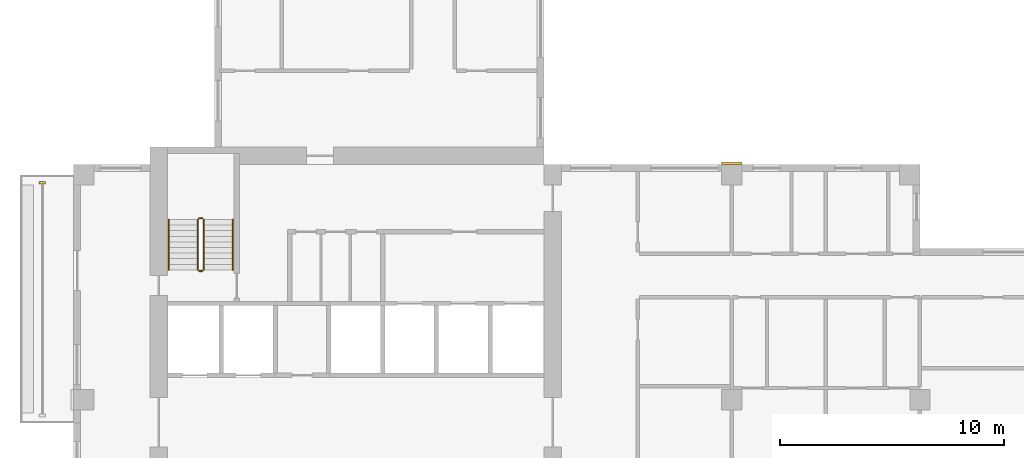
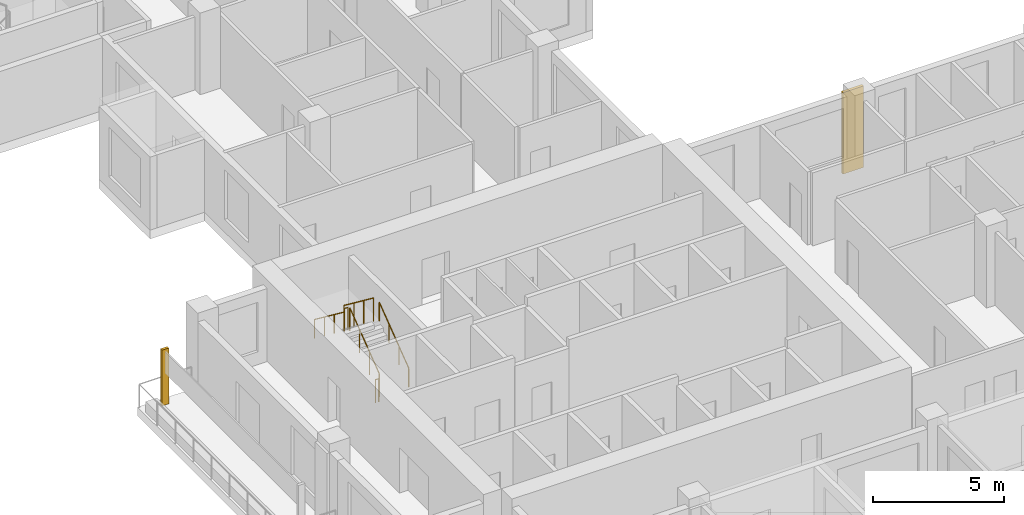
# One storey, part 10 of 12: 6 railings, 2 coverings.
"""IFC4 building model written with IfcOpenShell, lengths in metres."""

from ifc_helpers import new_model, si_unit, direction, frame, origin, origin_2d, place, context, subcontext, project, spatial, rectangle, circle, extrude, source, transform, mapped, material, type_object, element, save


model = new_model("IFC4")

# Units and contexts
model_context = context("Model", 3, precision=1e-05, world=origin(), true_north=direction((0.0, 1.0)))
body_context = subcontext(model_context, "Body", "Model", "MODEL_VIEW")
ifc_project = project(units=[si_unit("LENGTHUNIT", "METRE"), si_unit("AREAUNIT", "SQUARE_METRE"), si_unit("VOLUMEUNIT", "CUBIC_METRE"), si_unit("PLANEANGLEUNIT", "RADIAN"), si_unit("MASSUNIT", "GRAM", prefix="KILO")], contexts=[model_context])

# Site, building, storey
site_placement = place(None, origin())
site = spatial("IfcSite", under=ifc_project, at=site_placement, CompositionType="ELEMENT")
building_placement = place(site_placement, origin())
building = spatial("IfcBuilding", under=site, at=building_placement, Name="Aurelian Terraces", CompositionType="ELEMENT")
storey_placement = place(building_placement, frame((0.0, 0.0, 223.4)))
storey = spatial("IfcBuildingStorey", under=building, at=storey_placement, Name="L50", CompositionType="ELEMENT", Elevation=223.4)

# Coverings
ifc_material_1 = material(Name="Terracotta rainscreen cladding relief", Category="masonry")
covering_type_1 = type_object("IfcCoveringType", Name="FIN-TC", PredefinedType="CLADDING", material=ifc_material_1)
shared_shape_1 = source(origin(), body_context, "Body", "SweptSolid", [
    extrude(rectangle(XDim=0.3, YDim=0.12, at=origin_2d()), origin(), (0.0, 0.0, 1.0), 2.6),
])
covering_1_placement = place(storey_placement, frame((-1.4, 20.2, 0.0), z_axis=(0.0, 0.0, 1.0), x_axis=(1.0, 0.0, 0.0)))
element("IfcCovering", 1, at=covering_1_placement, inside=storey, type_object=covering_type_1, Name="FIN L50 L50-F20-34.1", PredefinedType="CLADDING", context=body_context, shape_type="MappedRepresentation", body=[
    mapped(shared_shape_1, transform((0.0, 0.0, 0.0), scale=1.0)),
])
covering_type_2 = type_object("IfcCoveringType", Name="BAGUETTE-TC", PredefinedType="CLADDING", material=ifc_material_1)
shared_shape_2 = source(origin(), body_context, "Body", "SweptSolid", [
    extrude(rectangle(XDim=0.9, YDim=0.12, at=origin_2d()), origin(), (0.0, 0.0, 1.0), 3.8),
])
covering_2_placement = place(storey_placement, frame((29.4, 21.06, -0.4), z_axis=(0.0, 0.0, 1.0), x_axis=(1.0, 0.0, 0.0)))
element("IfcCovering", 2, at=covering_2_placement, inside=storey, type_object=covering_type_2, Name="BAGUETTE pier L50 5", PredefinedType="CLADDING", context=body_context, shape_type="MappedRepresentation", body=[
    mapped(shared_shape_2, transform((0.0, 0.0, 0.0), scale=1.0)),
])

# Railings
ifc_material_2 = material(Name="Stainless steel", Category="steel")
railing_type_1 = type_object("IfcRailingType", Name="Stair guard 1100", PredefinedType="GUARDRAIL", material=ifc_material_2)
shared_shape_3 = source(origin(), body_context, "Body", "SweptSolid", [
    extrude(circle(Radius=0.024, at=origin_2d()), frame((0.0, 0.0, 1.076), z_axis=(-1.0, 0.0, 0.0), x_axis=(0.0, -1.0, 0.0)), (0.0, 0.0, 1.0), 0.15),
    extrude(circle(Radius=0.021, at=origin_2d()), origin(), (0.0, 0.0, 1.0), 1.052),
    extrude(circle(Radius=0.021, at=origin_2d()), frame((-0.15, 0.0, 0.0)), (0.0, 0.0, 1.0), 1.052),
])
for number, where, name in (
    (3, (5.75, 18.6, 1.9), "L50 S1 stair guard 2"),
    (4, (5.75, 16.25, 0.0), "L50 S1 stair guard 4"),
):
    element("IfcRailing", number, at=place(storey_placement, frame(where)), inside=storey, type_object=railing_type_1, Name=name, PredefinedType="GUARDRAIL", context=body_context, shape_type="MappedRepresentation", body=[
        mapped(shared_shape_3, transform((0.0, 0.0, 0.0), scale=1.0)),
    ])
shared_shape_4 = source(origin(), body_context, "Body", "SweptSolid", [
    extrude(circle(Radius=0.024, at=origin_2d()), frame((0.0, 0.0, 1.076), z_axis=(0.0, 0.796162194123, 0.605083267534), x_axis=(-1.0, 0.0, 0.0)), (0.0, 0.0, 1.0), 2.8261),
    extrude(circle(Radius=0.021, at=origin_2d()), origin(), (0.0, 0.0, 1.0), 1.052),
    extrude(circle(Radius=0.021, at=origin_2d()), frame((0.0, 0.75, 0.57)), (0.0, 0.0, 1.0), 1.052),
    extrude(circle(Radius=0.021, at=origin_2d()), frame((0.0, 1.5, 1.14)), (0.0, 0.0, 1.0), 1.052),
    extrude(circle(Radius=0.021, at=origin_2d()), frame((0.0, 2.25, 1.71)), (0.0, 0.0, 1.0), 1.052),
])
railing_1_placement = place(storey_placement, frame((5.8, 16.3, 0.19)))
element("IfcRailing", 5, at=railing_1_placement, inside=storey, type_object=railing_type_1, Name="L50 S1 stair guard 1", PredefinedType="GUARDRAIL", context=body_context, shape_type="MappedRepresentation", body=[
    mapped(shared_shape_4, transform((0.0, 0.0, 0.0), scale=1.0)),
])
shared_shape_5 = source(origin(), body_context, "Body", "SweptSolid", [
    extrude(circle(Radius=0.024, at=origin_2d()), frame((0.0, 0.0, 1.076), z_axis=(0.0, -0.796162194123, 0.605083267534), x_axis=(1.0, 0.0, 0.0)), (0.0, 0.0, 1.0), 2.8261),
    extrude(circle(Radius=0.021, at=origin_2d()), origin(), (0.0, 0.0, 1.0), 1.052),
    extrude(circle(Radius=0.021, at=origin_2d()), frame((0.0, -0.75, 0.57)), (0.0, 0.0, 1.0), 1.052),
    extrude(circle(Radius=0.021, at=origin_2d()), frame((0.0, -1.5, 1.14)), (0.0, 0.0, 1.0), 1.052),
    extrude(circle(Radius=0.021, at=origin_2d()), frame((0.0, -2.25, 1.71)), (0.0, 0.0, 1.0), 1.052),
])
railing_2_placement = place(storey_placement, frame((5.55, 18.55, 2.09)))
element("IfcRailing", 6, at=railing_2_placement, inside=storey, type_object=railing_type_1, Name="L50 S1 stair guard 3", PredefinedType="GUARDRAIL", context=body_context, shape_type="MappedRepresentation", body=[
    mapped(shared_shape_5, transform((0.0, 0.0, 0.0), scale=1.0)),
])
railing_type_2 = type_object("IfcRailingType", Name="Stair handrail", PredefinedType="HANDRAIL", material=ifc_material_2)
shared_shape_6 = source(origin(), body_context, "Body", "SweptSolid", [
    extrude(circle(Radius=0.024, at=origin_2d()), frame((0.0, 0.0, 0.876), z_axis=(0.0, 0.796162194123, 0.605083267534), x_axis=(-1.0, 0.0, 0.0)), (0.0, 0.0, 1.0), 2.8261),
    extrude(circle(Radius=0.021, at=origin_2d()), origin(), (0.0, 0.0, 1.0), 0.852),
    extrude(circle(Radius=0.021, at=origin_2d()), frame((0.0, 0.75, 0.57)), (0.0, 0.0, 1.0), 0.852),
    extrude(circle(Radius=0.021, at=origin_2d()), frame((0.0, 1.5, 1.14)), (0.0, 0.0, 1.0), 0.852),
    extrude(circle(Radius=0.021, at=origin_2d()), frame((0.0, 2.25, 1.71)), (0.0, 0.0, 1.0), 0.852),
])
railing_3_placement = place(storey_placement, frame((7.1, 16.3, 0.19)))
element("IfcRailing", 7, at=railing_3_placement, inside=storey, type_object=railing_type_2, Name="L50 S1 stair handrail 1", PredefinedType="HANDRAIL", context=body_context, shape_type="MappedRepresentation", body=[
    mapped(shared_shape_6, transform((0.0, 0.0, 0.0), scale=1.0)),
])
shared_shape_7 = source(origin(), body_context, "Body", "SweptSolid", [
    extrude(circle(Radius=0.024, at=origin_2d()), frame((0.0, 0.0, 0.876), z_axis=(0.0, -0.796162194123, 0.605083267534), x_axis=(1.0, 0.0, 0.0)), (0.0, 0.0, 1.0), 2.8261),
    extrude(circle(Radius=0.021, at=origin_2d()), origin(), (0.0, 0.0, 1.0), 0.852),
    extrude(circle(Radius=0.021, at=origin_2d()), frame((0.0, -0.75, 0.57)), (0.0, 0.0, 1.0), 0.852),
    extrude(circle(Radius=0.021, at=origin_2d()), frame((0.0, -1.5, 1.14)), (0.0, 0.0, 1.0), 0.852),
    extrude(circle(Radius=0.021, at=origin_2d()), frame((0.0, -2.25, 1.71)), (0.0, 0.0, 1.0), 0.852),
])
railing_4_placement = place(storey_placement, frame((4.25, 18.55, 2.09)))
element("IfcRailing", 8, at=railing_4_placement, inside=storey, type_object=railing_type_2, Name="L50 S1 stair handrail 2", PredefinedType="HANDRAIL", context=body_context, shape_type="MappedRepresentation", body=[
    mapped(shared_shape_7, transform((0.0, 0.0, 0.0), scale=1.0)),
])

save(model, "model.ifc")
